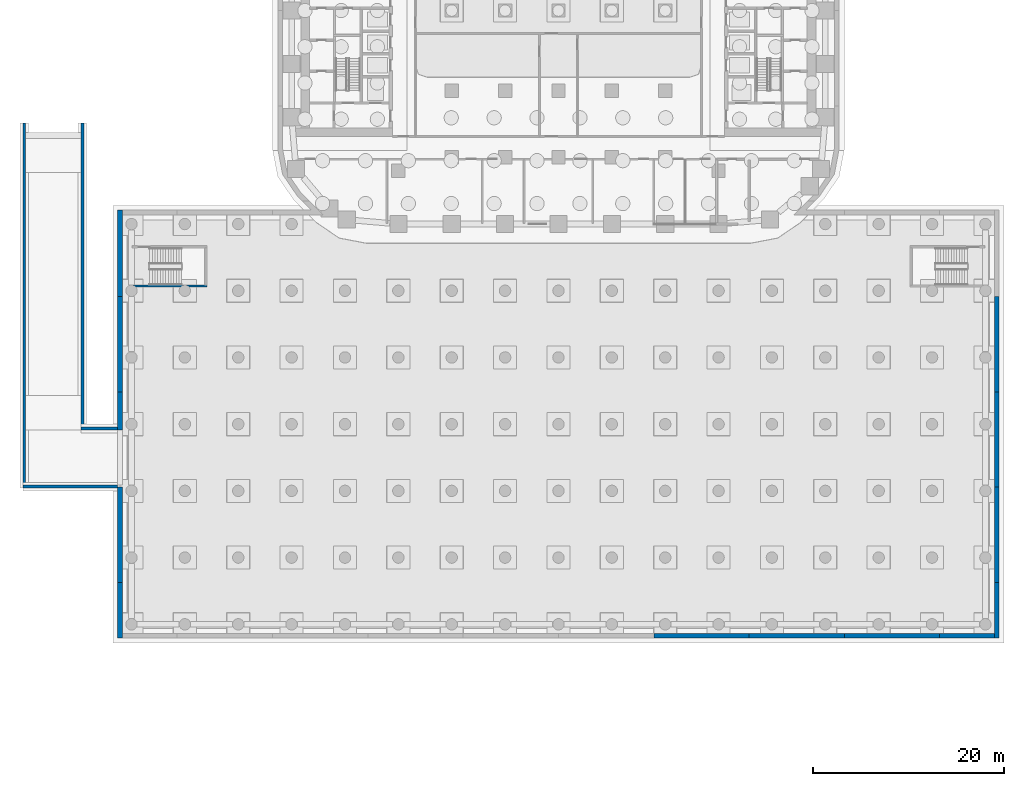
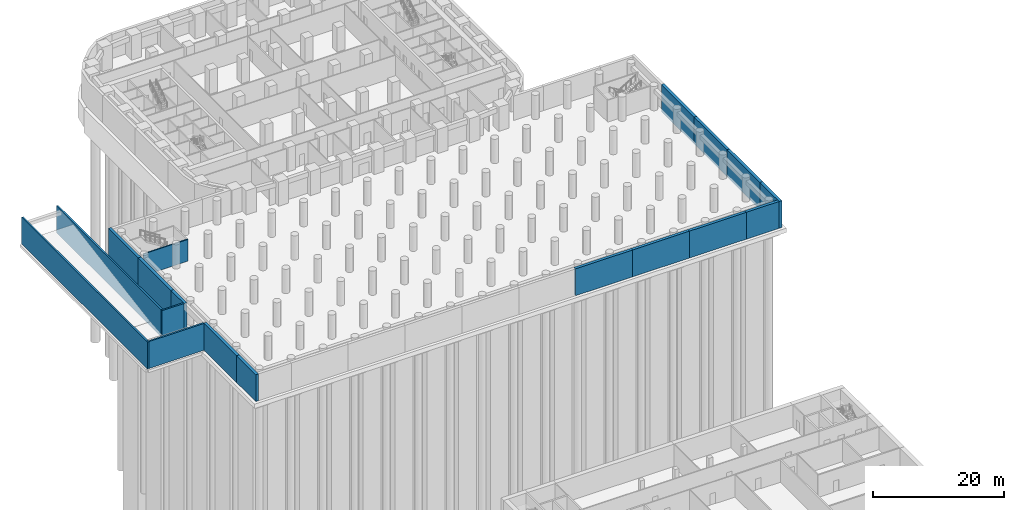
# One storey, part 9 of 23: 18 walls.
"""IFC4 building model written with IfcOpenShell, lengths in metres."""

from ifc_helpers import new_model, si_unit, direction, frame, frame_2d, origin, place, context, subcontext, project, spatial, polyline, rectangle, outline, extrude, material, layer, layer_set, type_object, element, save


model = new_model("IFC4")

# Units and contexts
model_context = context("Model", 3, precision=1e-05, world=origin(), true_north=direction((0.0, 1.0)))
body_context = subcontext(model_context, "Body", "Model", "MODEL_VIEW")
ifc_project = project(units=[si_unit("LENGTHUNIT", "METRE"), si_unit("AREAUNIT", "SQUARE_METRE"), si_unit("VOLUMEUNIT", "CUBIC_METRE"), si_unit("PLANEANGLEUNIT", "RADIAN"), si_unit("MASSUNIT", "GRAM", prefix="KILO")], contexts=[model_context])

# Site, building, storey
site_placement = place(None, origin())
site = spatial("IfcSite", under=ifc_project, at=site_placement, CompositionType="ELEMENT")
building_placement = place(site_placement, origin())
building = spatial("IfcBuilding", under=site, at=building_placement, Name="Kiln Ring Residences", CompositionType="ELEMENT")
storey_placement = place(building_placement, frame((0.0, 0.0, -4.5)))
storey = spatial("IfcBuildingStorey", under=building, at=storey_placement, Name="B1", CompositionType="ELEMENT", Elevation=-4.5)

# Walls
ifc_material_1 = material(Name="Concrete C50/60", Category="concrete")
ifc_layer_1 = layer(ifc_material_1, 0.5)
ifc_layer_set_1 = layer_set([ifc_layer_1], Name="Basement retaining wall 500 C50/60")
wall_type_1 = type_object("IfcWallType", Name="Basement retaining wall 500 C50/60", PredefinedType="SOLIDWALL", material=ifc_layer_set_1)
placement = place(storey_placement, frame((0.0, 0.0, -0.5)))
element("IfcWall", 1, at=placement, inside=storey, type_object=wall_type_1, Name="Basement retaining wall B1 2", PredefinedType="SOLIDWALL", context=body_context, shape_type="SweptSolid", body=[
    extrude(outline(polyline([(-46.25, -65.85009765625), (-45.75, -65.85009765625), (-45.75, -65.35009765625), (-45.75, -60.0), (-46.25, -60.0), (-46.25, -65.85009765625)])), origin(), (0.0, 0.0, 1.0), 5.0),
])
element("IfcWall", 2, at=placement, inside=storey, type_object=wall_type_1, Name="Basement retaining wall B1 3", PredefinedType="SOLIDWALL", context=body_context, shape_type="SweptSolid", body=[
    extrude(outline(polyline([(-46.25, -60.0), (-45.75, -60.0), (-45.75, -50.0), (-46.25, -50.0), (-46.25, -60.0)])), origin(), (0.0, 0.0, 1.0), 5.0),
])
element("IfcWall", 3, at=placement, inside=storey, type_object=wall_type_1, Name="Basement retaining wall B1 4", PredefinedType="SOLIDWALL", context=body_context, shape_type="SweptSolid", body=[
    extrude(outline(polyline([(-45.75, -40.0), (-46.25, -40.0), (-46.25, -44.0), (-45.75, -44.0), (-45.75, -40.0)])), origin(), (0.0, 0.0, 1.0), 5.0),
])
element("IfcWall", 4, at=placement, inside=storey, type_object=wall_type_1, Name="Basement retaining wall B1 5", PredefinedType="SOLIDWALL", context=body_context, shape_type="SweptSolid", body=[
    extrude(outline(polyline([(-45.75, -30.0), (-46.25, -30.0), (-46.25, -40.0), (-45.75, -40.0), (-45.75, -30.0)])), origin(), (0.0, 0.0, 1.0), 5.0),
])
element("IfcWall", 5, at=placement, inside=storey, type_object=wall_type_1, Name="Basement retaining wall B1 7", PredefinedType="SOLIDWALL", context=body_context, shape_type="SweptSolid", body=[
    extrude(outline(polyline([(-45.75, -21.449951171875), (-45.75, -20.949951171875), (-46.25, -20.949951171875), (-46.25, -30.0), (-45.75, -30.0), (-45.75, -21.449951171875)])), origin(), (0.0, 0.0, 1.0), 5.0),
])
element("IfcWall", 6, at=placement, inside=storey, type_object=wall_type_1, Name="Basement retaining wall B1 23", PredefinedType="SOLIDWALL", context=body_context, shape_type="SweptSolid", body=[
    extrude(outline(polyline([(20.0, -65.85009765625), (20.0, -65.35009765625), (10.0, -65.35009765625), (10.0, -65.85009765625), (20.0, -65.85009765625)])), origin(), (0.0, 0.0, 1.0), 5.0),
])
element("IfcWall", 7, at=placement, inside=storey, type_object=wall_type_1, Name="Basement retaining wall B1 25", PredefinedType="SOLIDWALL", context=body_context, shape_type="SweptSolid", body=[
    extrude(outline(polyline([(30.0, -65.85009765625), (30.0, -65.35009765625), (20.0, -65.35009765625), (20.0, -65.85009765625), (30.0, -65.85009765625)])), origin(), (0.0, 0.0, 1.0), 5.0),
])
element("IfcWall", 8, at=placement, inside=storey, type_object=wall_type_1, Name="Basement retaining wall B1 32", PredefinedType="SOLIDWALL", context=body_context, shape_type="SweptSolid", body=[
    extrude(outline(polyline([(40.0, -65.85009765625), (40.0, -65.35009765625), (30.0, -65.35009765625), (30.0, -65.85009765625), (40.0, -65.85009765625)])), origin(), (0.0, 0.0, 1.0), 5.0),
])
element("IfcWall", 9, at=placement, inside=storey, type_object=wall_type_1, Name="Basement retaining wall B1 34", PredefinedType="SOLIDWALL", context=body_context, shape_type="SweptSolid", body=[
    extrude(outline(polyline([(46.25, -65.85009765625), (46.25, -60.0), (45.75, -60.0), (45.75, -65.35009765625), (45.75, -65.85009765625), (46.25, -65.85009765625)])), origin(), (0.0, 0.0, 1.0), 5.0),
])
element("IfcWall", 10, at=placement, inside=storey, type_object=wall_type_1, Name="Basement retaining wall B1 35", PredefinedType="SOLIDWALL", context=body_context, shape_type="SweptSolid", body=[
    extrude(outline(polyline([(45.75, -65.85009765625), (45.75, -65.35009765625), (40.0, -65.35009765625), (40.0, -65.85009765625), (45.75, -65.85009765625)])), origin(), (0.0, 0.0, 1.0), 5.0),
])
element("IfcWall", 11, at=placement, inside=storey, type_object=wall_type_1, Name="Basement retaining wall B1 36", PredefinedType="SOLIDWALL", context=body_context, shape_type="SweptSolid", body=[
    extrude(outline(polyline([(46.25, -50.0), (45.75, -50.0), (45.75, -60.0), (46.25, -60.0), (46.25, -50.0)])), origin(), (0.0, 0.0, 1.0), 5.0),
])
element("IfcWall", 12, at=placement, inside=storey, type_object=wall_type_1, Name="Basement retaining wall B1 37", PredefinedType="SOLIDWALL", context=body_context, shape_type="SweptSolid", body=[
    extrude(outline(polyline([(46.25, -40.0), (45.75, -40.0), (45.75, -50.0), (46.25, -50.0), (46.25, -40.0)])), origin(), (0.0, 0.0, 1.0), 5.0),
])
element("IfcWall", 13, at=placement, inside=storey, type_object=wall_type_1, Name="Basement retaining wall B1 38", PredefinedType="SOLIDWALL", context=body_context, shape_type="SweptSolid", body=[
    extrude(outline(polyline([(46.25, -30.0), (45.75, -30.0), (45.75, -40.0), (46.25, -40.0), (46.25, -30.0)])), origin(), (0.0, 0.0, 1.0), 5.0),
])
ifc_material_2 = material(Name="Concrete C40/50", Category="concrete")
ifc_layer_2 = layer(ifc_material_2, 0.199951171875)
ifc_layer_set_2 = layer_set([ifc_layer_2], Name="PODIUM-STAIR-WALL-200")
wall_type_2 = type_object("IfcWallType", Name="PODIUM-STAIR-WALL-200", PredefinedType="SHEAR", material=ifc_layer_set_2)
wall_14_placement = place(storey_placement, frame((-44.7099609375, -28.89990234375, 0.0), z_axis=(0.0, 0.0, 1.0), x_axis=(1.0, 0.0, 0.0)))
element("IfcWall", 14, at=wall_14_placement, inside=storey, type_object=wall_type_2, Name="Stair wall 000", PredefinedType="SHEAR", context=body_context, shape_type="SweptSolid", body=[
    extrude(rectangle(XDim=7.81005859375, YDim=0.199951171875, at=frame_2d((3.905029296875, 0.0))), origin(), (0.0, 0.0, 1.0), 4.050048828125),
])
ifc_material_3 = material(Name="Concrete C35/45", Category="concrete")
ifc_layer_3 = layer(ifc_material_3, 0.300048828125)
ifc_layer_set_3 = layer_set([ifc_layer_3], Name="RAMP RETAINING WALL 300")
wall_type_3 = type_object("IfcWallType", Name="RAMP RETAINING WALL 300", PredefinedType="SOLIDWALL", material=ifc_layer_set_3)
wall_15_placement = place(storey_placement, frame((-56.050048828125, -50.10009765625, -0.5), z_axis=(0.0, 0.0, 1.0), x_axis=(0.0, 1.0, 0.0)))
element("IfcWall", 15, at=wall_15_placement, inside=storey, type_object=wall_type_3, Name="Ramp retaining wall W", PredefinedType="SOLIDWALL", context=body_context, shape_type="SweptSolid", body=[
    extrude(rectangle(XDim=38.300048828125, YDim=0.300048828125, at=frame_2d((19.14990234375, 0.0))), origin(), (0.0, 0.0, 1.0), 5.0),
])
wall_16_placement = place(storey_placement, frame((-49.949951171875, -43.85009765625, -0.5), z_axis=(0.0, 0.0, 1.0), x_axis=(0.0, 1.0, 0.0)))
element("IfcWall", 16, at=wall_16_placement, inside=storey, type_object=wall_type_3, Name="Ramp retaining wall E", PredefinedType="SOLIDWALL", context=body_context, shape_type="SweptSolid", body=[
    extrude(rectangle(XDim=32.050048828125, YDim=0.300048828125, at=frame_2d((16.02490234375, 0.0))), origin(), (0.0, 0.0, 1.0), 5.0),
])
wall_17_placement = place(storey_placement, frame((-56.199951171875, -49.949951171875, -0.5), z_axis=(0.0, 0.0, 1.0), x_axis=(1.0, 0.0, 0.0)))
element("IfcWall", 17, at=wall_17_placement, inside=storey, type_object=wall_type_3, Name="Ramp retaining wall S", PredefinedType="SOLIDWALL", context=body_context, shape_type="SweptSolid", body=[
    extrude(rectangle(XDim=9.949951171875, YDim=0.300048828125, at=frame_2d((4.97509765625, 0.0))), origin(), (0.0, 0.0, 1.0), 5.0),
])
wall_18_placement = place(storey_placement, frame((-50.10009765625, -43.85009765625, -0.5), z_axis=(0.0, 0.0, 1.0), x_axis=(1.0, 0.0, 0.0)))
element("IfcWall", 18, at=wall_18_placement, inside=storey, type_object=wall_type_3, Name="Ramp retaining wall N", PredefinedType="SOLIDWALL", context=body_context, shape_type="SweptSolid", body=[
    extrude(rectangle(XDim=3.85009765625, YDim=0.300048828125, at=frame_2d((1.925048828125, 0.0))), origin(), (0.0, 0.0, 1.0), 5.0),
])

save(model, "model.ifc")
